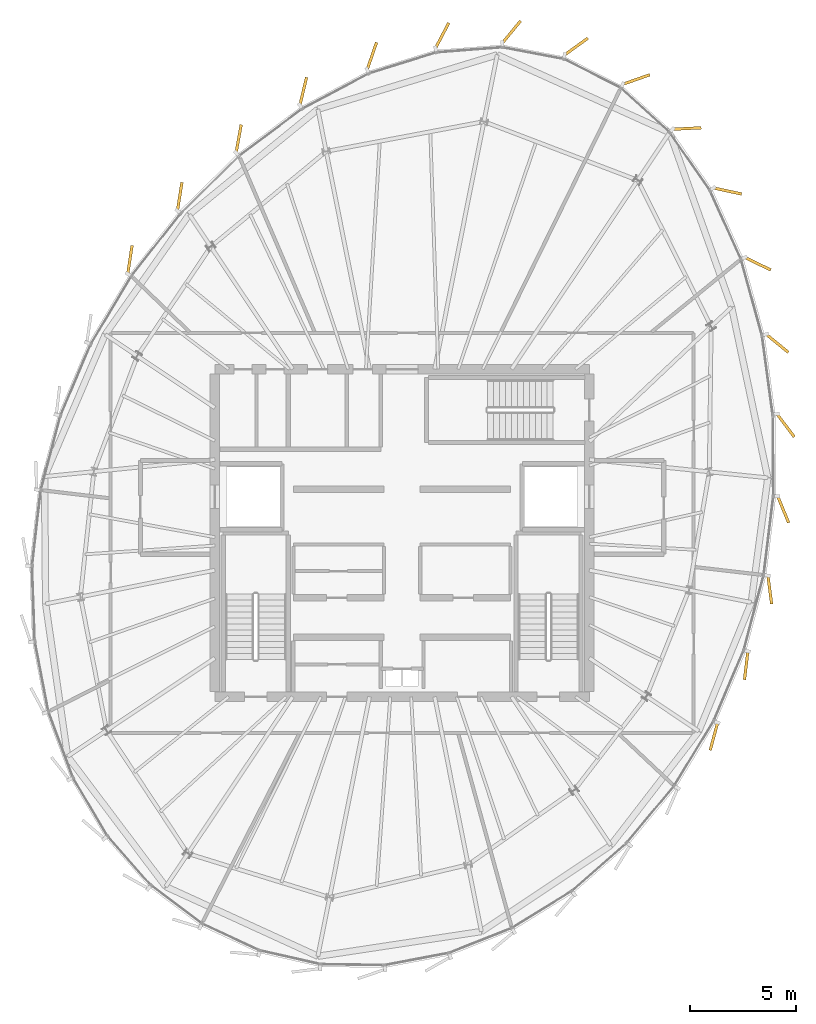
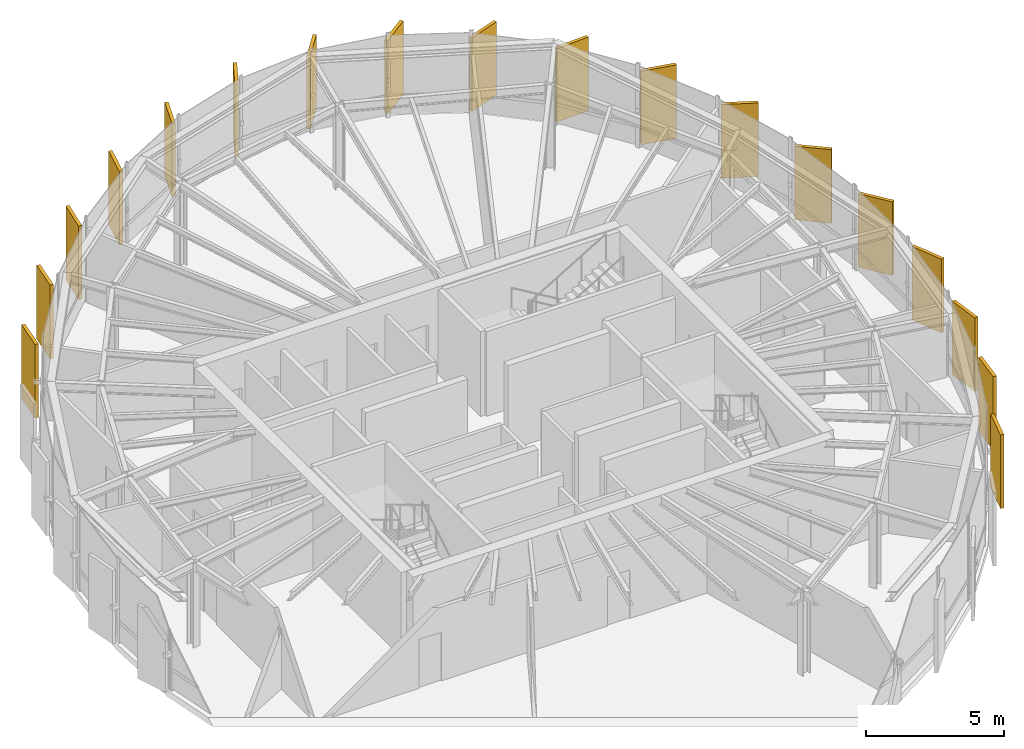
# One storey, part 26 of 26: 18 coverings.
"""IFC4 building model written with IfcOpenShell, lengths in metres."""

from ifc_helpers import new_model, si_unit, direction, frame, origin, origin_2d, place, context, subcontext, project, spatial, rectangle, extrude, source, transform, mapped, material, layer, layer_set, type_object, element, save


model = new_model("IFC4")

# Units and contexts
model_context = context("Model", 3, precision=1e-05, world=origin(), true_north=direction((0.0, 1.0)))
body_context = subcontext(model_context, "Body", "Model", "MODEL_VIEW")
ifc_project = project(units=[si_unit("LENGTHUNIT", "METRE"), si_unit("AREAUNIT", "SQUARE_METRE"), si_unit("VOLUMEUNIT", "CUBIC_METRE"), si_unit("PLANEANGLEUNIT", "RADIAN"), si_unit("MASSUNIT", "GRAM", prefix="KILO"), si_unit("THERMODYNAMICTEMPERATUREUNIT", "KELVIN")], contexts=[model_context])

# Site, building, storey
site_placement = place(None, origin())
site = spatial("IfcSite", under=ifc_project, at=site_placement, CompositionType="ELEMENT")
building_placement = place(site_placement, origin())
building = spatial("IfcBuilding", under=site, at=building_placement, Name="Kethvar Cultural Tower", CompositionType="ELEMENT")
storey_placement = place(building_placement, frame((0.0, 0.0, 320.300048828125)))
storey = spatial("IfcBuildingStorey", under=building, at=storey_placement, Name="L85", CompositionType="ELEMENT", Elevation=320.300048828125)

# Coverings
ifc_material = material(Name="Extruded Architectural Terracotta", Category="masonry")
ifc_layer = layer(ifc_material, 0.135009765625, Name="Extruded Architectural Terracotta", Category="masonry")
ifc_layer_set = layer_set([ifc_layer], Name="Extruded Architectural Terracotta (135 mm)")
covering_type = type_object("IfcCoveringType", Name="Terracotta Facade Fin FIN-03", PredefinedType="CLADDING", material=ifc_layer_set)
shared_shape = source(origin(), body_context, "Body", "SweptSolid", [
    extrude(rectangle(XDim=1.35009765625, YDim=0.135009765625, at=origin_2d()), origin(), (0.0, 0.0, 1.0), 3.25),
])
for number, where, z_axis, x_axis, name in (
    (1, (54.9833984375, 50.6591796875, 0.02001953125), (0.0, 0.0, 1.0), (0.811777874123, 0.583966337286, 0.0), "L85 Vertical Terracotta Fin 1.1"),
    (2, (51.939208984375, 51.34228515625, 0.02001953125), (0.0, 0.0, 1.0), (0.635000209429, 0.772511963678, 0.0), "L85 Vertical Terracotta Fin 1.2"),
    (3, (48.680908203125, 51.17578125, 0.02001953125), (0.0, 0.0, 1.0), (0.463141356361, 0.886284426145, 0.0), "L85 Vertical Terracotta Fin 1.3"),
    (4, (45.37890625, 50.212890625, 0.02001953125), (0.0, 0.0, 1.0), (0.326228171556, 0.945291055751, 0.0), "L85 Vertical Terracotta Fin 1.4"),
    (5, (42.153076171875, 48.554443359375, 0.02001953125), (0.0, 0.0, 1.0), (0.232257215962, 0.97265440195, 0.0), "L85 Vertical Terracotta Fin 1.5"),
    (6, (39.116943359375, 46.32275390625, 0.02001953125), (0.0, 0.0, 1.0), (0.178287029629, 0.983978523681, 0.0), "L85 Vertical Terracotta Fin 1.6"),
    (7, (36.347900390625, 43.611572265625, 0.02001953125), (0.0, 0.0, 1.0), (0.157123963403, 0.987578888051, 0.0), "L85 Vertical Terracotta Fin 2.1"),
    (8, (34.007568359375, 40.640869140625, 0.02001953125), (0.0, 0.0, 1.0), (0.151433342672, 0.98846747176, 0.0), "L85 Vertical Terracotta Fin 2.2"),
    (9, (61.4541015625, 18.2373046875, 0.02001953125), (0.0, 0.0, 1.0), (-0.258819045103, -0.965925826289, 0.0), "L85 Vertical Terracotta Fin 5.3"),
    (10, (62.970703125, 21.57177734375, 0.02001953125), (0.0, 0.0, 1.0), (-0.119097160095, -0.99288260457, 0.0), "L85 Vertical Terracotta Fin 5.4"),
    (11, (64.07958984375, 25.126953125, 0.02001953125), (0.0, 0.0, 1.0), (0.129834001381, -0.99153574423, 0.0), "L85 Vertical Terracotta Fin 5.5"),
    (12, (64.708251953125, 28.902099609375, 0.02001953125), (0.0, 0.0, 1.0), (0.381554415263, -0.924346378904, 0.0), "L85 Vertical Terracotta Fin 5.6"),
    (13, (64.824462890625, 32.850830078125, 0.02001953125), (0.0, 0.0, 1.0), (0.601675625795, -0.798740534419, 0.0), "L85 Vertical Terracotta Fin 6.1"),
    (14, (64.431640625, 36.711181640625, 0.02001953125), (0.0, 0.0, 1.0), (0.773840209727, -0.633380872628, 0.0), "L85 Vertical Terracotta Fin 6.2"),
    (15, (63.516845703125, 40.452880859375, 0.02001953125), (0.0, 0.0, 1.0), (0.899557778955, -0.436801788368, 0.0), "L85 Vertical Terracotta Fin 6.3"),
    (16, (62.095458984375, 43.87060546875, 0.02001953125), (0.0, 0.0, 1.0), (0.977746636525, -0.209789215079, 0.0), "L85 Vertical Terracotta Fin 6.4"),
    (17, (60.18359375, 46.806396484375, 0.02001953125), (0.0, 0.0, 1.0), (0.998736956606, 0.05024431818, 0.0), "L85 Vertical Terracotta Fin 6.5"),
    (18, (57.8076171875, 49.111083984375, 0.02001953125), (0.0, 0.0, 1.0), (0.944376370237, 0.328866646739, 0.0), "L85 Vertical Terracotta Fin 6.6"),
):
    element("IfcCovering", number, at=place(storey_placement, frame(where, z_axis=z_axis, x_axis=x_axis)), inside=storey, type_object=covering_type, Name=name, PredefinedType="CLADDING", context=body_context, shape_type="MappedRepresentation", body=[
        mapped(shared_shape, transform((0.0, 0.0, 0.0), scale=1.0)),
    ])

save(model, "model.ifc")
